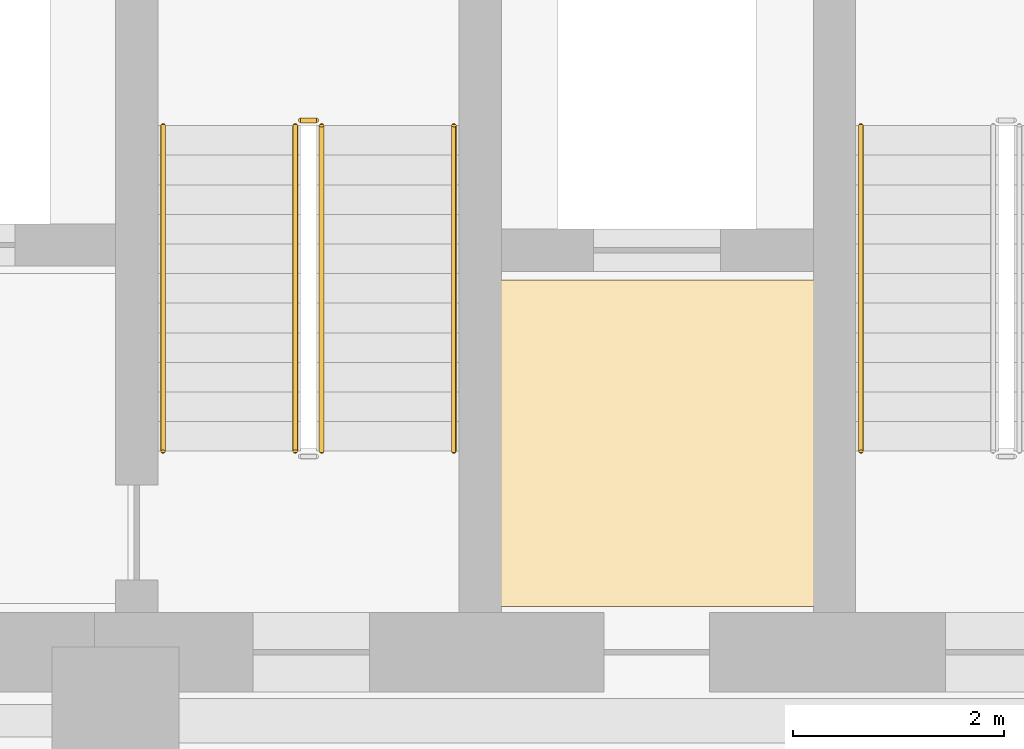
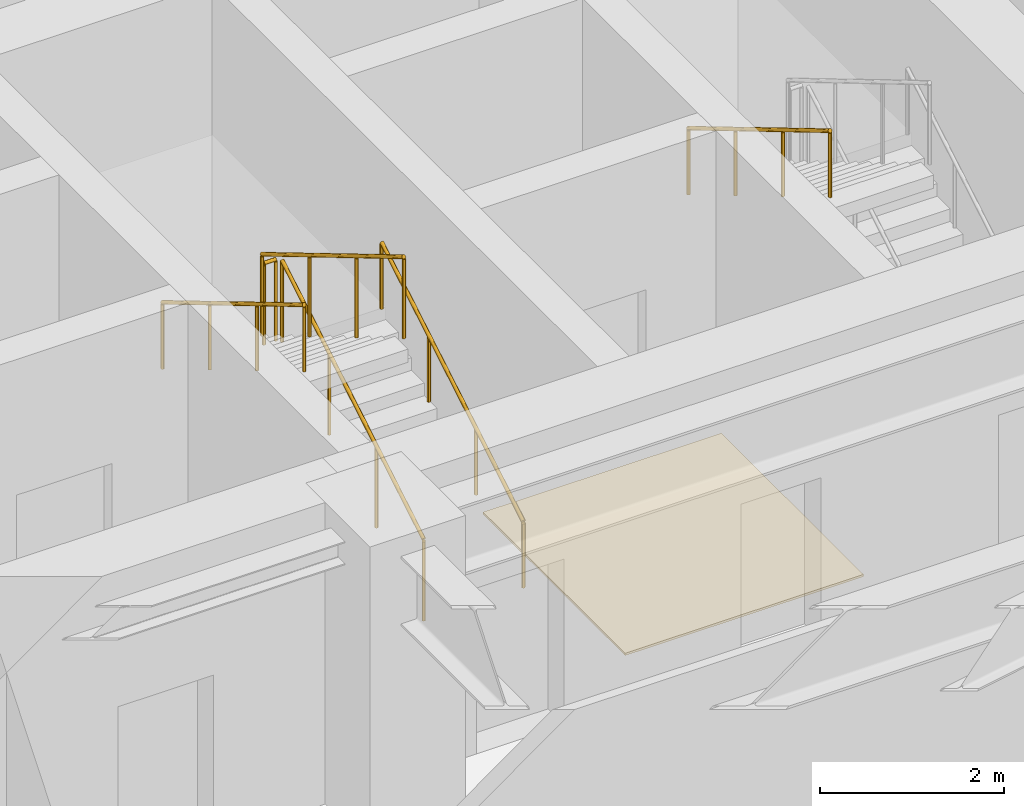
# One storey, part 23 of 25: 6 railings, 1 covering.
"""IFC4 building model written with IfcOpenShell, lengths in metres."""

from ifc_helpers import new_model, si_unit, direction, frame, origin, origin_2d, place, context, subcontext, project, spatial, polyline, circle, outline, extrude, material, layer, layer_set, type_object, element, save


model = new_model("IFC4")

# Units and contexts
model_context = context("Model", 3, precision=1e-05, world=origin(), true_north=direction((0.0, 1.0)))
body_context = subcontext(model_context, "Body", "Model", "MODEL_VIEW")
ifc_project = project(units=[si_unit("LENGTHUNIT", "METRE"), si_unit("AREAUNIT", "SQUARE_METRE"), si_unit("VOLUMEUNIT", "CUBIC_METRE"), si_unit("PLANEANGLEUNIT", "RADIAN"), si_unit("MASSUNIT", "GRAM", prefix="KILO")], contexts=[model_context])

# Site, building, storey
site_placement = place(None, origin())
site = spatial("IfcSite", under=ifc_project, at=site_placement, CompositionType="ELEMENT")
building_placement = place(site_placement, origin())
building = spatial("IfcBuilding", under=site, at=building_placement, Name="Kravanh Interchange Tower", CompositionType="ELEMENT")
storey_placement = place(building_placement, frame((0.0, 0.0, 29.5)))
storey = spatial("IfcBuildingStorey", under=building, at=storey_placement, Name="L06", CompositionType="ELEMENT", Elevation=29.5)

# Covering
ifc_material_1 = material(Name="Cementitious Terrazzo Tile")
ifc_layer_1 = layer(ifc_material_1, 0.030029296875)
ifc_layer_set_1 = layer_set([ifc_layer_1], Name="Honed Terrazzo Lobby Flooring 30mm")
covering_type = type_object("IfcCoveringType", Name="Honed Terrazzo Lobby Flooring 30mm", PredefinedType="FLOORING", material=ifc_layer_set_1)
covering_placement = place(storey_placement, origin())
element("IfcCovering", 1, at=covering_placement, inside=storey, type_object=covering_type, Name="L06 Service Lift Lobby Floor Finish", PredefinedType="FLOORING", context=body_context, shape_type="SweptSolid", body=[
    extrude(outline(polyline([(59.6298828125, 41.52001953125), (62.6201171875, 41.52001953125), (62.6201171875, 38.429931640625), (59.6298828125, 38.429931640625), (59.6298828125, 41.52001953125)])), origin(), (0.0, 0.0, 1.0), 0.030029296875),
])

# Railings
ifc_material_2 = material(Name="Structural Steel S355", Category="steel")
ifc_layer_2 = layer(ifc_material_2, 0.050048828125)
ifc_layer_set_2 = layer_set([ifc_layer_2], Name="Stair Well Guardrail Structural Steel S355 1100mm")
railing_type_1 = type_object("IfcRailingType", Name="Stair Well Guardrail Structural Steel S355 1100mm", PredefinedType="GUARDRAIL", material=ifc_layer_set_2)
railing_1_placement = place(storey_placement, frame((57.949951171875, 39.89990234375, 0.166748046875)))
element("IfcRailing", 2, at=railing_1_placement, inside=storey, type_object=railing_type_1, Name="L06 ST2 stair guard 1", PredefinedType="GUARDRAIL", context=body_context, shape_type="SweptSolid", body=[
    extrude(circle(Radius=0.02392578125, at=origin_2d()), frame((0.0, 0.0, 1.076171875), z_axis=(0.0, 0.859308565015, 0.511457515432), x_axis=(-1.0, 0.0, 0.0)), (0.0, 0.0, 1.0), 3.58447265625),
    extrude(circle(Radius=0.02099609375, at=origin_2d()), origin(), (0.0, 0.0, 1.0), 1.052001953125),
    extrude(circle(Radius=0.02099609375, at=origin_2d()), frame((0.0, 1.026611328125, 0.611083984375)), (0.0, 0.0, 1.0), 1.052001953125),
    extrude(circle(Radius=0.02099609375, at=origin_2d()), frame((0.0, 2.053466796875, 1.22216796875)), (0.0, 0.0, 1.0), 1.052001953125),
    extrude(circle(Radius=0.02099609375, at=origin_2d()), frame((0.0, 3.080078125, 1.833251953125)), (0.0, 0.0, 1.0), 1.052001953125),
])
railing_2_placement = place(storey_placement, frame((57.89990234375, 43.030029296875, 2.0)))
element("IfcRailing", 3, at=railing_2_placement, inside=storey, type_object=railing_type_1, Name="L06 ST2 stair guard 2", PredefinedType="GUARDRAIL", context=body_context, shape_type="SweptSolid", body=[
    extrude(circle(Radius=0.02392578125, at=origin_2d()), frame((0.0, 0.0, 1.076171875), z_axis=(-1.0, 0.0, 0.0), x_axis=(0.0, -1.0, 0.0)), (0.0, 0.0, 1.0), 0.14990234375),
    extrude(circle(Radius=0.02099609375, at=origin_2d()), origin(), (0.0, 0.0, 1.0), 1.052001953125),
    extrude(circle(Radius=0.02099609375, at=origin_2d()), frame((-0.14990234375, 0.0, 0.0)), (0.0, 0.0, 1.0), 1.052001953125),
])
railing_3_placement = place(storey_placement, frame((57.699951171875, 42.97998046875, 2.166748046875)))
element("IfcRailing", 4, at=railing_3_placement, inside=storey, type_object=railing_type_1, Name="L06 ST2 stair guard 3", PredefinedType="GUARDRAIL", context=body_context, shape_type="SweptSolid", body=[
    extrude(circle(Radius=0.02392578125, at=origin_2d()), frame((0.0, 0.0, 1.076171875), z_axis=(0.0, -0.859308565015, 0.511457515432), x_axis=(1.0, 0.0, 0.0)), (0.0, 0.0, 1.0), 3.58447265625),
    extrude(circle(Radius=0.02099609375, at=origin_2d()), origin(), (0.0, 0.0, 1.0), 1.052001953125),
    extrude(circle(Radius=0.02099609375, at=origin_2d()), frame((0.0, -1.026611328125, 0.611083984375)), (0.0, 0.0, 1.0), 1.052001953125),
    extrude(circle(Radius=0.02099609375, at=origin_2d()), frame((0.0, -2.053466796875, 1.22216796875)), (0.0, 0.0, 1.0), 1.052001953125),
    extrude(circle(Radius=0.02099609375, at=origin_2d()), frame((0.0, -3.080078125, 1.833251953125)), (0.0, 0.0, 1.0), 1.052001953125),
])
ifc_material_3 = material(Name="Stainless Steel 304", Category="steel")
ifc_layer_3 = layer(ifc_material_3, 0.044921875)
ifc_layer_set_3 = layer_set([ifc_layer_3], Name="Tubular Stair Handrail Stainless 304 900mm")
railing_type_2 = type_object("IfcRailingType", Name="Tubular Stair Handrail Stainless 304 900mm", PredefinedType="HANDRAIL", material=ifc_layer_set_3)
railing_4_placement = place(storey_placement, frame((63.050048828125, 42.97998046875, 2.166748046875)))
element("IfcRailing", 5, at=railing_4_placement, inside=storey, type_object=railing_type_2, Name="L06 ST1 stair handrail 2", PredefinedType="HANDRAIL", context=body_context, shape_type="SweptSolid", body=[
    extrude(circle(Radius=0.02392578125, at=origin_2d()), frame((0.0, 0.0, 0.8759765625), z_axis=(0.0, -0.859308565015, 0.511457515432), x_axis=(1.0, 0.0, 0.0)), (0.0, 0.0, 1.0), 3.58447265625),
    extrude(circle(Radius=0.02099609375, at=origin_2d()), origin(), (0.0, 0.0, 1.0), 0.851806640625),
    extrude(circle(Radius=0.02099609375, at=origin_2d()), frame((0.0, -1.026611328125, 0.611083984375)), (0.0, 0.0, 1.0), 0.851806640625),
    extrude(circle(Radius=0.02099609375, at=origin_2d()), frame((0.0, -2.053466796875, 1.22216796875)), (0.0, 0.0, 1.0), 0.851806640625),
    extrude(circle(Radius=0.02099609375, at=origin_2d()), frame((0.0, -3.080078125, 1.833251953125)), (0.0, 0.0, 1.0), 0.851806640625),
])
railing_5_placement = place(storey_placement, frame((59.199951171875, 39.89990234375, 0.166748046875)))
element("IfcRailing", 6, at=railing_5_placement, inside=storey, type_object=railing_type_2, Name="L06 ST2 stair handrail 1", PredefinedType="HANDRAIL", context=body_context, shape_type="SweptSolid", body=[
    extrude(circle(Radius=0.02392578125, at=origin_2d()), frame((0.0, 0.0, 0.8759765625), z_axis=(0.0, 0.859308565015, 0.511457515432), x_axis=(-1.0, 0.0, 0.0)), (0.0, 0.0, 1.0), 3.58447265625),
    extrude(circle(Radius=0.02099609375, at=origin_2d()), origin(), (0.0, 0.0, 1.0), 0.851806640625),
    extrude(circle(Radius=0.02099609375, at=origin_2d()), frame((0.0, 1.026611328125, 0.611083984375)), (0.0, 0.0, 1.0), 0.851806640625),
    extrude(circle(Radius=0.02099609375, at=origin_2d()), frame((0.0, 2.053466796875, 1.22216796875)), (0.0, 0.0, 1.0), 0.851806640625),
    extrude(circle(Radius=0.02099609375, at=origin_2d()), frame((0.0, 3.080078125, 1.833251953125)), (0.0, 0.0, 1.0), 0.851806640625),
])
railing_6_placement = place(storey_placement, frame((56.449951171875, 42.97998046875, 2.166748046875)))
element("IfcRailing", 7, at=railing_6_placement, inside=storey, type_object=railing_type_2, Name="L06 ST2 stair handrail 2", PredefinedType="HANDRAIL", context=body_context, shape_type="SweptSolid", body=[
    extrude(circle(Radius=0.02392578125, at=origin_2d()), frame((0.0, 0.0, 0.8759765625), z_axis=(0.0, -0.859308565015, 0.511457515432), x_axis=(1.0, 0.0, 0.0)), (0.0, 0.0, 1.0), 3.58447265625),
    extrude(circle(Radius=0.02099609375, at=origin_2d()), origin(), (0.0, 0.0, 1.0), 0.851806640625),
    extrude(circle(Radius=0.02099609375, at=origin_2d()), frame((0.0, -1.026611328125, 0.611083984375)), (0.0, 0.0, 1.0), 0.851806640625),
    extrude(circle(Radius=0.02099609375, at=origin_2d()), frame((0.0, -2.053466796875, 1.22216796875)), (0.0, 0.0, 1.0), 0.851806640625),
    extrude(circle(Radius=0.02099609375, at=origin_2d()), frame((0.0, -3.080078125, 1.833251953125)), (0.0, 0.0, 1.0), 0.851806640625),
])

save(model, "model.ifc")
